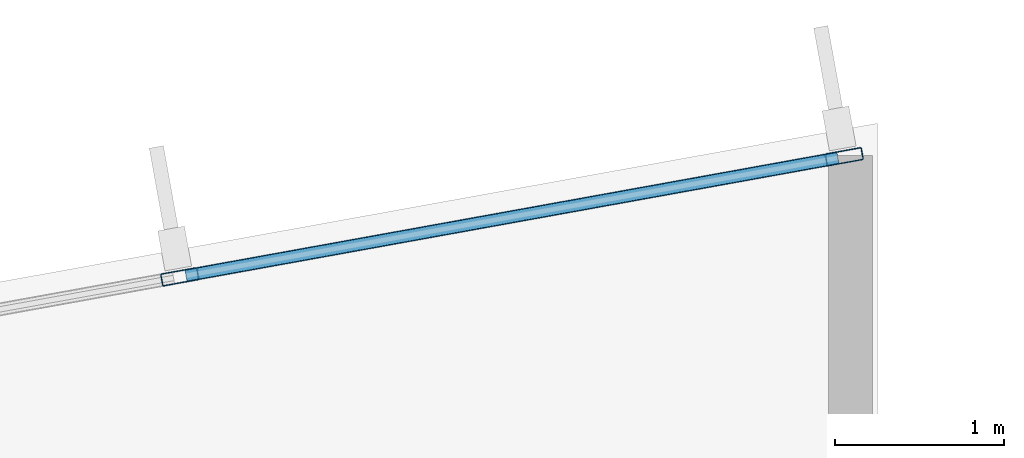
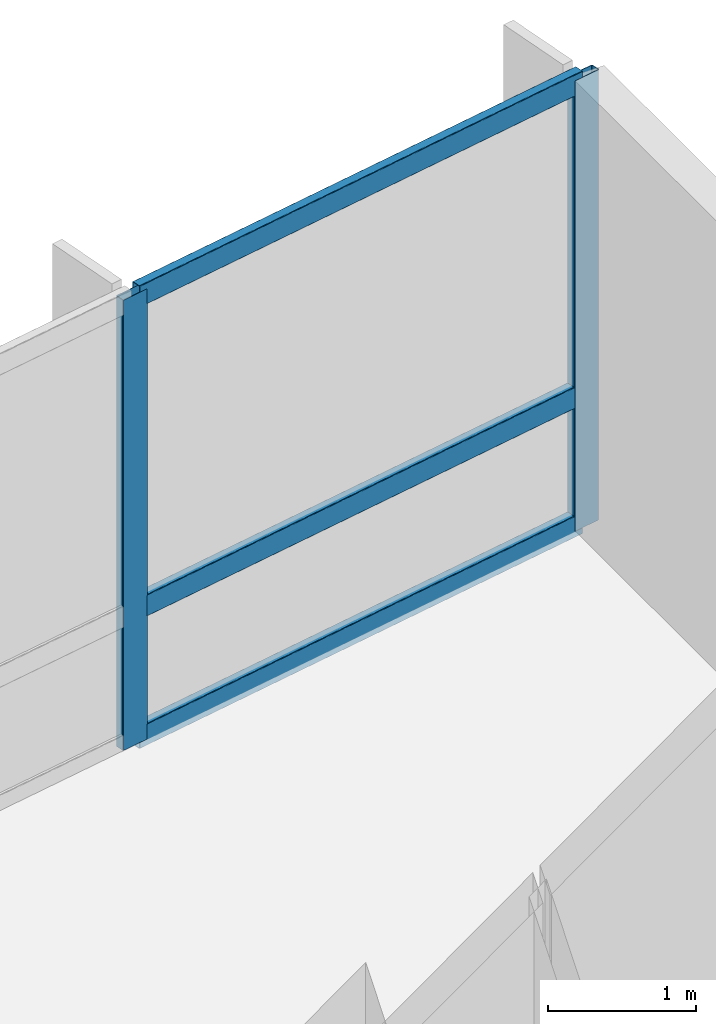
# One storey, part 8 of 19: 5 members, 1 element without a shape of its own.
"""IFC4 building model written with IfcOpenShell, lengths in metres."""

from ifc_helpers import new_model, si_unit, direction, frame, origin, origin_2d, place, context, subcontext, project, spatial, hollow_rectangle, extrude, material, layer, layer_set, material_profile, profile_set, type_object, element, aggregate, save


model = new_model("IFC4")

# Units and contexts
model_context = context("Model", 3, precision=1e-05, world=origin(), true_north=direction((0.0, 1.0)))
body_context = subcontext(model_context, "Body", "Model", "MODEL_VIEW")
ifc_project = project(units=[si_unit("LENGTHUNIT", "METRE"), si_unit("AREAUNIT", "SQUARE_METRE"), si_unit("VOLUMEUNIT", "CUBIC_METRE"), si_unit("PLANEANGLEUNIT", "RADIAN"), si_unit("MASSUNIT", "GRAM", prefix="KILO")], contexts=[model_context])

# Site, building, storey
site_placement = place(None, origin())
site = spatial("IfcSite", under=ifc_project, at=site_placement, CompositionType="ELEMENT")
building_placement = place(site_placement, origin())
building = spatial("IfcBuilding", under=site, at=building_placement, Name="Varnakote Quay Hospital", CompositionType="ELEMENT")
storey_placement = place(building_placement, frame((0.0, 0.0, 54.10009765625)))
storey = spatial("IfcBuildingStorey", under=building, at=storey_placement, Name="L13", CompositionType="ELEMENT", Elevation=54.10009765625)

# Curtain wall, members
ifc_material_1 = material(Name="Anodised aluminium 6063-T6 Bronze", Category="aluminium")
ifc_layer = layer(ifc_material_1, 0.18994140625)
ifc_layer_set = layer_set([ifc_layer], Name="Anodised aluminium 6063-T6 Bronze")
curtain_wall_type = type_object("IfcCurtainWallType", Name="CW-SYS-2", PredefinedType="NOTDEFINED", material=ifc_layer_set)
curtain_wall_placement = place(storey_placement, origin())
curtain_wall = element("IfcCurtainWall", 1, at=curtain_wall_placement, inside=storey, type_object=curtain_wall_type, Name="L13 Unitised Bronze Curtain Wall 1", PredefinedType="NOTDEFINED")
ifc_material_2 = material(Name="Anodised aluminium 6063-T6 Bronze", Category="aluminium")
ifc_material_profile_1 = material_profile(ifc_material_2, hollow_rectangle(XDim=0.074951171875, YDim=0.219970703125, WallThickness=0.00439453125, InnerFilletRadius=0.00439453125, OuterFilletRadius=0.009033203125, at=origin_2d()), Name="CW-MULL-220x75")
ifc_profile_set_1 = profile_set([ifc_material_profile_1], Name="Anodised aluminium 6063-T6 Bronze")
member_type_1 = type_object("IfcMemberType", Name="CW-MULL-220x75", PredefinedType="MULLION", material=ifc_profile_set_1)
member_1_placement = place(storey_placement, frame((55.403076171875, 34.201904296875, 0.0), z_axis=(0.0, 0.0, 1.0), x_axis=(0.177846199098, -0.984058295766, 0.0)))
member_1 = element("IfcMember", 2, at=member_1_placement, type_object=member_type_1, Name="-2-L13-1 mullion 1", PredefinedType="MULLION", context=body_context, shape_type="SweptSolid", body=[
    extrude(hollow_rectangle(XDim=0.074951171875, YDim=0.219970703125, WallThickness=0.00439453125, InnerFilletRadius=0.00439453125, OuterFilletRadius=0.009033203125, at=origin_2d()), origin(), (0.0, 0.0, 1.0), 3.7099609375),
])
member_2_placement = place(storey_placement, frame((51.477294921875, 33.492431640625, 0.0), z_axis=(0.0, 0.0, 1.0), x_axis=(0.177846199098, -0.984058295766, 0.0)))
member_2 = element("IfcMember", 3, at=member_2_placement, type_object=member_type_1, Name="-2-L13-1 mullion 2", PredefinedType="MULLION", context=body_context, shape_type="SweptSolid", body=[
    extrude(hollow_rectangle(XDim=0.074951171875, YDim=0.219970703125, WallThickness=0.00439453125, InnerFilletRadius=0.00439453125, OuterFilletRadius=0.009033203125, at=origin_2d()), origin(), (0.0, 0.0, 1.0), 3.7099609375),
])
ifc_material_3 = material(Name="Anodised aluminium 6063-T6 Bronze", Category="aluminium")
ifc_material_profile_2 = material_profile(ifc_material_3, hollow_rectangle(XDim=0.074951171875, YDim=0.179931640625, WallThickness=0.004150390625, InnerFilletRadius=0.004150390625, OuterFilletRadius=0.00830078125, at=origin_2d()), Name="CW-TRAN-180x75")
ifc_profile_set_2 = profile_set([ifc_material_profile_2], Name="Anodised aluminium 6063-T6 Bronze")
member_type_2 = type_object("IfcMemberType", Name="CW-TRAN-180x75", PredefinedType="USERDEFINED", material=ifc_profile_set_2)
member_3_placement = place(storey_placement, frame((55.3662109375, 34.195068359375, 0.037353515625), z_axis=(-0.984061948229, -0.177825988109, 0.0), x_axis=(0.177825988109, -0.984061948229, 0.0)))
member_3 = element("IfcMember", 4, at=member_3_placement, type_object=member_type_2, Name="-2-L13-1 transom 1.1", ObjectType="TRANSOM", PredefinedType="USERDEFINED", context=body_context, shape_type="SweptSolid", body=[
    extrude(hollow_rectangle(XDim=0.074951171875, YDim=0.179931640625, WallThickness=0.004150390625, InnerFilletRadius=0.004150390625, OuterFilletRadius=0.00830078125, at=origin_2d()), origin(), (0.0, 0.0, 1.0), 3.914306640625),
])
member_4_placement = place(storey_placement, frame((55.3662109375, 34.195068359375, 1.099853515625), z_axis=(-0.984061948229, -0.177825988109, 0.0), x_axis=(0.177825988109, -0.984061948229, 0.0)))
member_4 = element("IfcMember", 5, at=member_4_placement, type_object=member_type_2, Name="-2-L13-1 transom 1.2", ObjectType="TRANSOM", PredefinedType="USERDEFINED", context=body_context, shape_type="SweptSolid", body=[
    extrude(hollow_rectangle(XDim=0.074951171875, YDim=0.179931640625, WallThickness=0.004150390625, InnerFilletRadius=0.004150390625, OuterFilletRadius=0.00830078125, at=origin_2d()), origin(), (0.0, 0.0, 1.0), 3.914306640625),
])
member_5_placement = place(storey_placement, frame((55.3662109375, 34.195068359375, 3.67236328125), z_axis=(-0.984061948229, -0.177825988109, 0.0), x_axis=(0.177825988109, -0.984061948229, 0.0)))
member_5 = element("IfcMember", 6, at=member_5_placement, type_object=member_type_2, Name="-2-L13-1 transom 1.3", ObjectType="TRANSOM", PredefinedType="USERDEFINED", context=body_context, shape_type="SweptSolid", body=[
    extrude(hollow_rectangle(XDim=0.074951171875, YDim=0.179931640625, WallThickness=0.004150390625, InnerFilletRadius=0.004150390625, OuterFilletRadius=0.00830078125, at=origin_2d()), origin(), (0.0, 0.0, 1.0), 3.914306640625),
])
aggregate(curtain_wall, [member_1, member_2, member_3, member_4, member_5])

save(model, "model.ifc")
